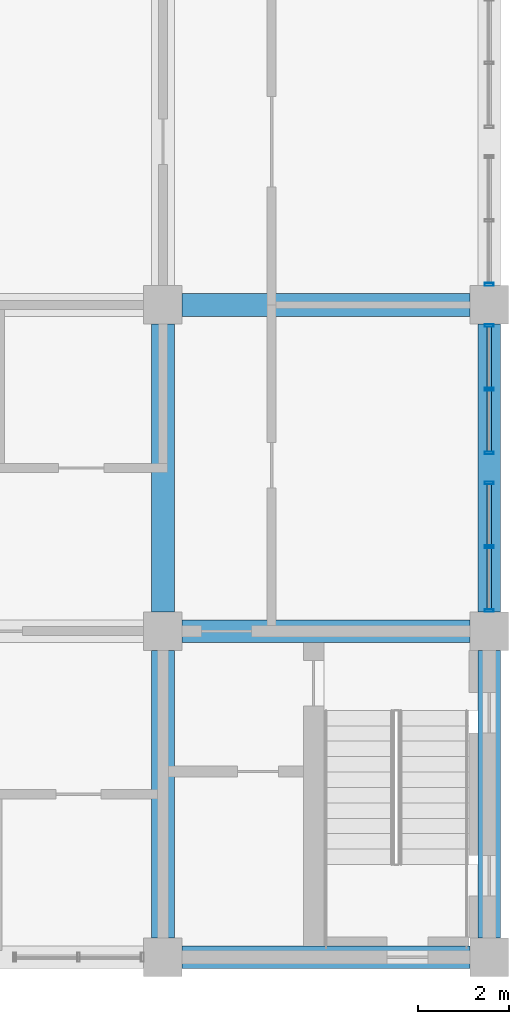
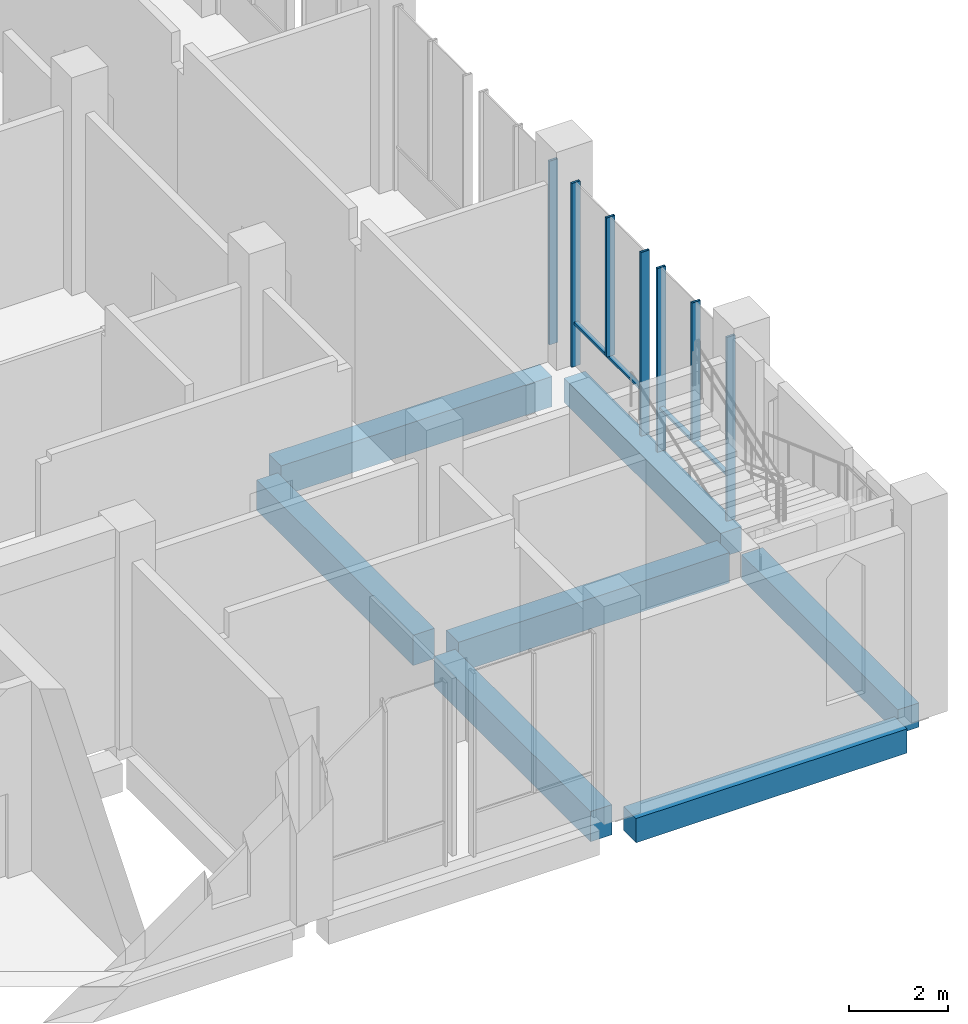
# One storey, part 13 of 48: 9 members, 7 beams, 3 elements without a shape of their own.
"""IFC4 building model written with IfcOpenShell, lengths in metres."""

from ifc_helpers import new_model, si_unit, direction, frame, origin, origin_2d, place, context, subcontext, project, spatial, rectangle, hollow_rectangle, extrude, material, material_profile, profile_set, type_object, element, aggregate, save


model = new_model("IFC4")

# Units and contexts
model_context = context("Model", 3, precision=1e-05, world=origin(), true_north=direction((0.0, 1.0)))
body_context = subcontext(model_context, "Body", "Model", "MODEL_VIEW")
ifc_project = project(units=[si_unit("LENGTHUNIT", "METRE"), si_unit("AREAUNIT", "SQUARE_METRE"), si_unit("VOLUMEUNIT", "CUBIC_METRE"), si_unit("PLANEANGLEUNIT", "RADIAN"), si_unit("MASSUNIT", "GRAM", prefix="KILO")], contexts=[model_context])

# Site, building, storey
site_placement = place(None, origin())
site = spatial("IfcSite", under=ifc_project, at=site_placement, CompositionType="ELEMENT")
building_placement = place(site_placement, origin())
building = spatial("IfcBuilding", under=site, at=building_placement, Name="Silangan Lancet Faculty of Sciences", CompositionType="ELEMENT")
storey_placement = place(building_placement, frame((0.0, 0.0, 6.0)))
storey = spatial("IfcBuildingStorey", under=building, at=storey_placement, Name="L01", CompositionType="ELEMENT", Elevation=6.0)

# Beams
ifc_material_1 = material(Name="Concrete C40/50", Category="concrete")
ifc_material_profile_1 = material_profile(ifc_material_1, rectangle(XDim=0.5, YDim=0.60009765625, at=origin_2d()), Name="RC 500x600")
ifc_profile_set_1 = profile_set([ifc_material_profile_1], Name="Concrete C40/50")
beam_type_1 = type_object("IfcBeamType", Name="BEAM RC 500x600", PredefinedType="BEAM", material=ifc_profile_set_1)
beam_1_placement = place(storey_placement, frame((79.625, 0.0, -0.550048828125), z_axis=(1.0, 0.0, 0.0), x_axis=(0.0, 1.0, 0.0)))
element("IfcBeam", 1, at=beam_1_placement, inside=storey, type_object=beam_type_1, Name="BM-L01-12A-13A", PredefinedType="BEAM", context=body_context, shape_type="SweptSolid", body=[
    extrude(rectangle(XDim=0.5, YDim=0.60009765625, at=origin_2d()), origin(), (0.0, 0.0, 1.0), 6.35009765625),
])
beam_2_placement = place(storey_placement, frame((86.39990234375, 0.425048828125, -0.550048828125), z_axis=(0.0, 1.0, 0.0), x_axis=(-1.0, 0.0, 0.0)))
element("IfcBeam", 2, at=beam_2_placement, inside=storey, type_object=beam_type_1, Name="BM-L01-13A-13B", PredefinedType="BEAM", context=body_context, shape_type="SweptSolid", body=[
    extrude(rectangle(XDim=0.5, YDim=0.60009765625, at=origin_2d()), origin(), (0.0, 0.0, 1.0), 6.349853515625),
])
beam_3_placement = place(storey_placement, frame((86.39990234375, 7.625, -0.550048828125), z_axis=(0.0, 1.0, 0.0), x_axis=(-1.0, 0.0, 0.0)))
element("IfcBeam", 3, at=beam_3_placement, inside=storey, type_object=beam_type_1, Name="BM-L01-13B-13C", PredefinedType="BEAM", context=body_context, shape_type="SweptSolid", body=[
    extrude(rectangle(XDim=0.5, YDim=0.60009765625, at=origin_2d()), origin(), (0.0, 0.0, 1.0), 6.35009765625),
])
ifc_material_2 = material(Name="Concrete C40/50", Category="concrete")
ifc_material_profile_2 = material_profile(ifc_material_2, rectangle(XDim=0.5, YDim=0.75, at=origin_2d()), Name="RC 500x750")
ifc_profile_set_2 = profile_set([ifc_material_profile_2], Name="Concrete C40/50")
beam_type_2 = type_object("IfcBeamType", Name="BEAM RC 500x750", PredefinedType="BEAM", material=ifc_profile_set_2)
for number, where, z_axis, x_axis, name in (
    (4, (79.625, 7.199951171875, -0.625), (1.0, 0.0, 0.0), (0.0, 1.0, 0.0), "BM-L01-12B-13B"),
    (5, (79.625, 14.39990234375, -0.625), (1.0, 0.0, 0.0), (0.0, 1.0, 0.0), "BM-L01-12C-13C"),
):
    element("IfcBeam", number, at=place(storey_placement, frame(where, z_axis=z_axis, x_axis=x_axis)), inside=storey, type_object=beam_type_2, Name=name, PredefinedType="BEAM", context=body_context, shape_type="SweptSolid", body=[
        extrude(rectangle(XDim=0.5, YDim=0.75, at=origin_2d()), origin(), (0.0, 0.0, 1.0), 6.35009765625),
    ])
beam_4_placement = place(storey_placement, frame((79.199951171875, 0.425048828125, -0.625), z_axis=(0.0, 1.0, 0.0), x_axis=(-1.0, 0.0, 0.0)))
element("IfcBeam", 6, at=beam_4_placement, inside=storey, type_object=beam_type_2, Name="BM-L01-12A-12B", PredefinedType="BEAM", context=body_context, shape_type="SweptSolid", body=[
    extrude(rectangle(XDim=0.5, YDim=0.75, at=origin_2d()), origin(), (0.0, 0.0, 1.0), 6.349853515625),
])
beam_5_placement = place(storey_placement, frame((79.199951171875, 7.625, -0.625), z_axis=(0.0, 1.0, 0.0), x_axis=(-1.0, 0.0, 0.0)))
element("IfcBeam", 7, at=beam_5_placement, inside=storey, type_object=beam_type_2, Name="BM-L01-12B-12C", PredefinedType="BEAM", context=body_context, shape_type="SweptSolid", body=[
    extrude(rectangle(XDim=0.5, YDim=0.75, at=origin_2d()), origin(), (0.0, 0.0, 1.0), 6.35009765625),
])

# Curtain wall, members
ifc_material_3 = material(Name="Aluminium framed curtain wall with insulated glass", Category="aluminium")
curtain_wall_type = type_object("IfcCurtainWallType", Name="CW1 Commons and east block glazing", PredefinedType="NOTDEFINED", material=ifc_material_3)
curtain_wall_1_placement = place(storey_placement, origin())
curtain_wall_1 = element("IfcCurtainWall", 8, at=curtain_wall_1_placement, inside=storey, type_object=curtain_wall_type, Name="CW1 East commons L01 bay 1", PredefinedType="NOTDEFINED")
ifc_material_4 = material(Name="Aluminium 6063-T6 extrusion", Category="aluminium")
ifc_material_profile_3 = material_profile(ifc_material_4, hollow_rectangle(XDim=0.06005859375, YDim=0.199951171875, WallThickness=0.00390625, at=origin_2d()), Name="AL BOX 60x200x4")
ifc_profile_set_3 = profile_set([ifc_material_profile_3], Name="Aluminium 6063-T6 extrusion")
member_type_1 = type_object("IfcMemberType", Name="CM1 Mullion 60x200", PredefinedType="MULLION", material=ifc_profile_set_3)
member_1_placement = place(storey_placement, frame((86.39990234375, 7.655029296875, 0.0), z_axis=(0.0, 0.0, 1.0), x_axis=(0.0, 1.0, 0.0)))
member_1 = element("IfcMember", 9, at=member_1_placement, type_object=member_type_1, Name="CW1 East commons L01 bay 1 mullion 1", PredefinedType="MULLION", context=body_context, shape_type="SweptSolid", body=[
    extrude(hollow_rectangle(XDim=0.06005859375, YDim=0.199951171875, WallThickness=0.00390625, at=origin_2d()), origin(), (0.0, 0.0, 1.0), 4.550048828125),
])
member_2_placement = place(storey_placement, frame((86.39990234375, 10.469970703125, 0.0), z_axis=(0.0, 0.0, 1.0), x_axis=(0.0, 1.0, 0.0)))
member_2 = element("IfcMember", 10, at=member_2_placement, type_object=member_type_1, Name="CW1 East commons L01 bay 1 mullion 2", PredefinedType="MULLION", context=body_context, shape_type="SweptSolid", body=[
    extrude(hollow_rectangle(XDim=0.06005859375, YDim=0.199951171875, WallThickness=0.00390625, at=origin_2d()), origin(), (0.0, 0.0, 1.0), 4.550048828125),
])
member_3_placement = place(storey_placement, frame((86.39990234375, 9.0625, 1.10009765625), z_axis=(0.0, 0.0, 1.0), x_axis=(0.0, 1.0, 0.0)))
member_3 = element("IfcMember", 11, at=member_3_placement, type_object=member_type_1, Name="CW1 East commons L01 bay 1 mullion 3", PredefinedType="MULLION", context=body_context, shape_type="SweptSolid", body=[
    extrude(hollow_rectangle(XDim=0.06005859375, YDim=0.199951171875, WallThickness=0.00390625, at=origin_2d()), origin(), (0.0, 0.0, 1.0), 3.449951171875),
])

curtain_wall_2_placement = place(storey_placement, origin())
curtain_wall_2 = element("IfcCurtainWall", 12, at=curtain_wall_2_placement, inside=storey, type_object=curtain_wall_type, Name="CW1 East commons L01 bay 2", PredefinedType="NOTDEFINED")
member_4_placement = place(storey_placement, frame((86.39990234375, 11.1298828125, 0.0), z_axis=(0.0, 0.0, 1.0), x_axis=(0.0, 1.0, 0.0)))
member_4 = element("IfcMember", 13, at=member_4_placement, type_object=member_type_1, Name="CW1 East commons L01 bay 2 mullion 1", PredefinedType="MULLION", context=body_context, shape_type="SweptSolid", body=[
    extrude(hollow_rectangle(XDim=0.06005859375, YDim=0.199951171875, WallThickness=0.00390625, at=origin_2d()), origin(), (0.0, 0.0, 1.0), 4.550048828125),
])
member_5_placement = place(storey_placement, frame((86.39990234375, 13.945068359375, 0.0), z_axis=(0.0, 0.0, 1.0), x_axis=(0.0, 1.0, 0.0)))
member_5 = element("IfcMember", 14, at=member_5_placement, type_object=member_type_1, Name="CW1 East commons L01 bay 2 mullion 2", PredefinedType="MULLION", context=body_context, shape_type="SweptSolid", body=[
    extrude(hollow_rectangle(XDim=0.06005859375, YDim=0.199951171875, WallThickness=0.00390625, at=origin_2d()), origin(), (0.0, 0.0, 1.0), 4.550048828125),
])
member_6_placement = place(storey_placement, frame((86.39990234375, 12.53759765625, 1.10009765625), z_axis=(0.0, 0.0, 1.0), x_axis=(0.0, 1.0, 0.0)))
member_6 = element("IfcMember", 15, at=member_6_placement, type_object=member_type_1, Name="CW1 East commons L01 bay 2 mullion 3", PredefinedType="MULLION", context=body_context, shape_type="SweptSolid", body=[
    extrude(hollow_rectangle(XDim=0.06005859375, YDim=0.199951171875, WallThickness=0.00390625, at=origin_2d()), origin(), (0.0, 0.0, 1.0), 3.449951171875),
])

# Curtain wall, member
curtain_wall_3_placement = place(storey_placement, origin())
curtain_wall_3 = element("IfcCurtainWall", 16, at=curtain_wall_3_placement, inside=storey, type_object=curtain_wall_type, Name="CW1 East commons L01 bay 3", PredefinedType="NOTDEFINED")
member_7_placement = place(storey_placement, frame((86.39990234375, 14.85498046875, 0.0), z_axis=(0.0, 0.0, 1.0), x_axis=(0.0, 1.0, 0.0)))
member_7 = element("IfcMember", 17, at=member_7_placement, type_object=member_type_1, Name="CW1 East commons L01 bay 3 mullion 1", PredefinedType="MULLION", context=body_context, shape_type="SweptSolid", body=[
    extrude(hollow_rectangle(XDim=0.06005859375, YDim=0.199951171875, WallThickness=0.00390625, at=origin_2d()), origin(), (0.0, 0.0, 1.0), 4.550048828125),
])
aggregate(curtain_wall_3, [member_7])

# Member
ifc_material_5 = material(Name="Aluminium 6063-T6 extrusion", Category="aluminium")
ifc_material_profile_4 = material_profile(ifc_material_5, hollow_rectangle(XDim=0.10009765625, YDim=0.06005859375, WallThickness=0.0029296875, at=origin_2d()), Name="AL BOX 100x60x3")
ifc_profile_set_4 = profile_set([ifc_material_profile_4], Name="Aluminium 6063-T6 extrusion")
member_type_2 = type_object("IfcMemberType", Name="CT1 Transom 100x60", PredefinedType="USERDEFINED", material=ifc_profile_set_4)
member_8_placement = place(storey_placement, frame((86.39990234375, 7.68505859375, 1.070068359375), z_axis=(0.0, 1.0, 0.0), x_axis=(-1.0, 0.0, 0.0)))
member_8 = element("IfcMember", 18, at=member_8_placement, type_object=member_type_2, Name="CW1 East commons L01 bay 1 transom 1", ObjectType="TRANSOM", PredefinedType="USERDEFINED", context=body_context, shape_type="SweptSolid", body=[
    extrude(hollow_rectangle(XDim=0.10009765625, YDim=0.06005859375, WallThickness=0.0029296875, at=origin_2d()), origin(), (0.0, 0.0, 1.0), 2.7548828125),
])

aggregate(curtain_wall_1, [member_1, member_2, member_3, member_8])

member_9_placement = place(storey_placement, frame((86.39990234375, 11.159912109375, 1.070068359375), z_axis=(0.0, 1.0, 0.0), x_axis=(-1.0, 0.0, 0.0)))
member_9 = element("IfcMember", 19, at=member_9_placement, type_object=member_type_2, Name="CW1 East commons L01 bay 2 transom 1", ObjectType="TRANSOM", PredefinedType="USERDEFINED", context=body_context, shape_type="SweptSolid", body=[
    extrude(hollow_rectangle(XDim=0.10009765625, YDim=0.06005859375, WallThickness=0.0029296875, at=origin_2d()), origin(), (0.0, 0.0, 1.0), 2.755126953125),
])

aggregate(curtain_wall_2, [member_4, member_5, member_6, member_9])

save(model, "model.ifc")
